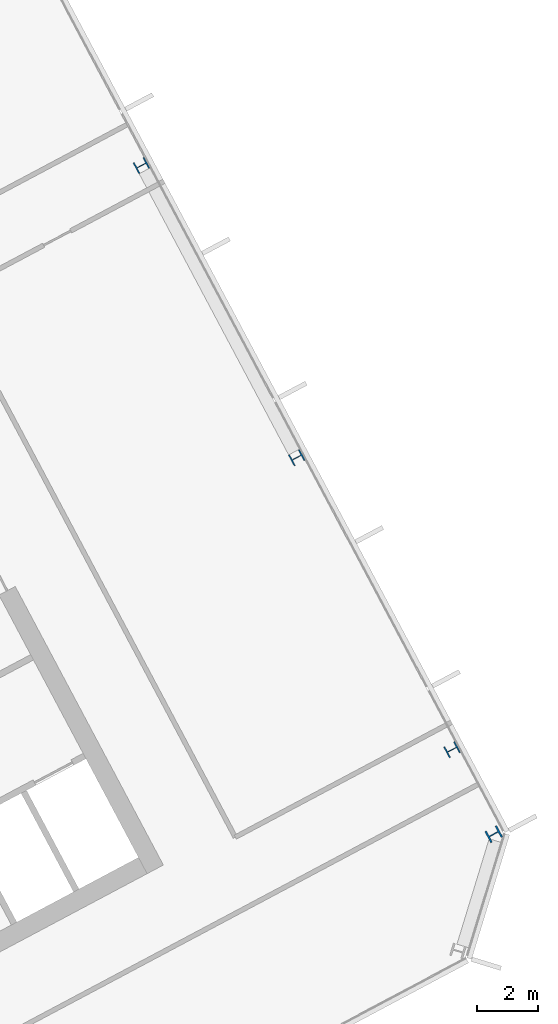
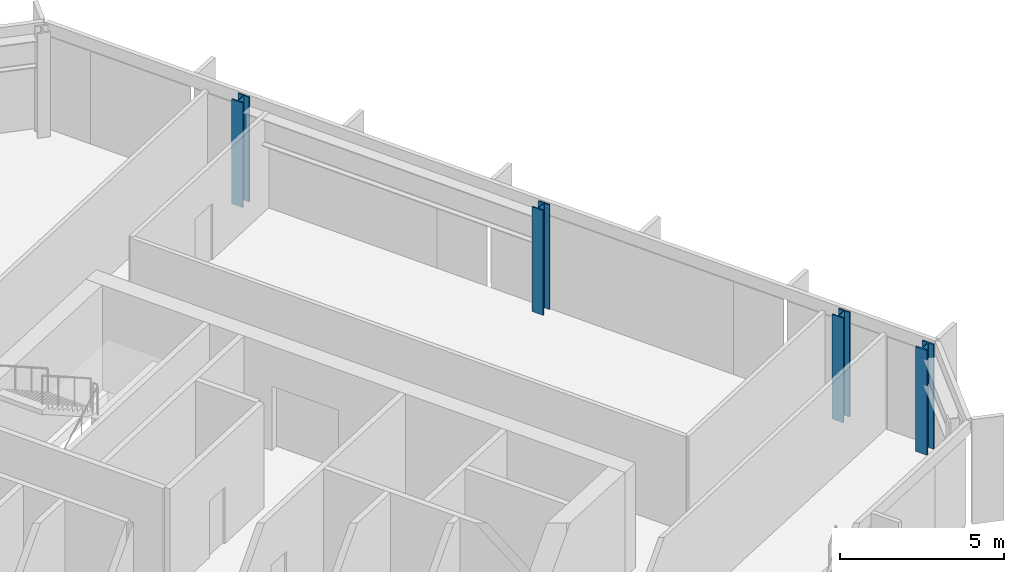
# One storey, part 7 of 27: 4 columns.
"""IFC4 building model written with IfcOpenShell, lengths in metres."""

import ifcopenshell
import ifcopenshell.guid

model = None  # the IFC model being written
_history = None  # IfcOwnerHistory: only IFC2X3 demands one
_inside = {}  # id of a spatial element -> (the spatial element, [elements in it])
_under = {}  # id of a project, library or spatial element -> (it, [spatial elements below it])
_declared = {}  # id of a project -> (the project, [libraries it declares])
_typed = {}  # id of a type object -> (the type object, [elements of that type])
_made_of = {}  # id of a material, layer set ... -> (it, [elements and type objects made of it])


def new_model(schema):
    """Start an empty IFC model of exactly this schema.

    Asked for "IFC4X3", IfcOpenShell would pick the latest addendum, in which some entities
    have other attributes; the version numbers below select the first issue.
    IFC2X3 requires an IfcOwnerHistory on every rooted entity: one is made here for all.
    """
    global model, _history
    if schema == "IFC4X3":
        model = ifcopenshell.file(schema_version=(4, 3, 0, 0))
    else:
        model = ifcopenshell.file(schema=schema)
    _inside.clear()
    _under.clear()
    _declared.clear()
    _typed.clear()
    _made_of.clear()
    _history = None
    if model.schema == "IFC2X3":
        org = make("IfcOrganization", Name="unknown")
        user = make(
            "IfcPersonAndOrganization",
            ThePerson=make("IfcPerson", FamilyName="unknown"),
            TheOrganization=org,
        )
        app = make(
            "IfcApplication",
            ApplicationDeveloper=org,
            Version="unknown",
            ApplicationFullName="unknown",
            ApplicationIdentifier="unknown",
        )
        _history = make(
            "IfcOwnerHistory",
            OwningUser=user,
            OwningApplication=app,
            ChangeAction="ADDED",
            CreationDate=0,
        )
    return model


def make(cls, **values):
    """One entity of the class cls with the attributes given. An attribute that is None is left unset."""
    return model.create_entity(
        cls, **{name: value for name, value in values.items() if value is not None}
    )


def rooted(cls, **values):
    """An entity with a GlobalId (a new one), such as an element, a storey or a relation."""
    return make(cls, GlobalId=ifcopenshell.guid.new(), OwnerHistory=_history, **values)


def si_unit(unit_type, name, prefix=None):
    """IfcSIUnit, for example si_unit("LENGTHUNIT", "METRE", prefix="MILLI")."""
    return make("IfcSIUnit", UnitType=unit_type, Prefix=prefix, Name=name)


def assignment(units):
    """IfcUnitAssignment: the units of a project."""
    return None if units is None else make("IfcUnitAssignment", Units=units)


def point(xyz):
    """IfcCartesianPoint."""
    return None if xyz is None else make("IfcCartesianPoint", Coordinates=xyz)


def direction(xyz):
    """IfcDirection."""
    return None if xyz is None else make("IfcDirection", DirectionRatios=xyz)


def frame(location, z_axis=None, x_axis=None):
    """IfcAxis2Placement3D, a coordinate frame: its origin and axes. An axis left out is left unset."""
    return make(
        "IfcAxis2Placement3D",
        Location=point(location),
        Axis=direction(z_axis),
        RefDirection=direction(x_axis),
    )


def frame_2d(location, x_axis=None):
    """IfcAxis2Placement2D, a coordinate frame in the plane: its origin and x axis."""
    return make(
        "IfcAxis2Placement2D", Location=point(location), RefDirection=direction(x_axis)
    )


def origin():
    """The frame at (0, 0, 0) with its axes left unset."""
    return frame((0.0, 0.0, 0.0))


def origin_2d():
    """The frame at (0, 0) in the plane with its x axis left unset."""
    return frame_2d((0.0, 0.0))


def place(relative_to, where):
    """IfcLocalPlacement: puts the frame where relative to a parent placement (None: the world)."""
    return make(
        "IfcLocalPlacement", PlacementRelTo=relative_to, RelativePlacement=where
    )


def context(
    kind, dimensions, precision=None, world=None, true_north=None, identifier=None
):
    """IfcGeometricRepresentationContext, for example the 3D "Model" context."""
    return make(
        "IfcGeometricRepresentationContext",
        ContextIdentifier=identifier,
        ContextType=kind,
        CoordinateSpaceDimension=dimensions,
        Precision=precision,
        WorldCoordinateSystem=world,
        TrueNorth=true_north,
    )


def subcontext(parent, identifier, kind, view, scale=None):
    """IfcGeometricRepresentationSubContext, for example "Body" below "Model"."""
    return make(
        "IfcGeometricRepresentationSubContext",
        ContextIdentifier=identifier,
        ContextType=kind,
        ParentContext=parent,
        TargetScale=scale,
        TargetView=view,
    )


def project(units=None, contexts=None):
    """IfcProject with its units and contexts."""
    return rooted(
        "IfcProject",
        Name="project",
        RepresentationContexts=contexts,
        UnitsInContext=assignment(units),
    )


def spatial(cls, under=None, at=None, **own):
    """A site, building, storey or space (cls), placed at a placement, below another one or the project."""
    s = rooted(cls, ObjectPlacement=at, **own)
    if under is not None:
        _under.setdefault(under.id(), (under, []))[1].append(s)
    return s


def profile(cls, at=None, kind="AREA", **sizes):
    """A parametric profile (cls). Its sizes go by their IFC names, for example OverallWidth=200.0."""
    return make(cls, ProfileType=kind, Position=at, **sizes)


def i_section(**sizes):
    """IfcIShapeProfileDef."""
    return profile("IfcIShapeProfileDef", **sizes)


def extrude(swept, where, along, depth):
    """IfcExtrudedAreaSolid: the profile swept, set in the frame where, extruded along a direction by depth."""
    return make(
        "IfcExtrudedAreaSolid",
        SweptArea=swept,
        Position=where,
        ExtrudedDirection=direction(along),
        Depth=depth,
    )


def shape(context_of_items, identifier, shape_type, items):
    """IfcShapeRepresentation: the items that make up one representation, for example the "Body"."""
    return make(
        "IfcShapeRepresentation",
        ContextOfItems=context_of_items,
        RepresentationIdentifier=identifier,
        RepresentationType=shape_type,
        Items=items,
    )


def material(Name=None, Category=None):
    """IfcMaterial."""
    return make("IfcMaterial", Name=Name, Category=Category)


def material_profile(
    of_material, cross_section, Name=None, Category=None, Priority=None
):
    """IfcMaterialProfile: a cross section and its material."""
    return make(
        "IfcMaterialProfile",
        Name=Name,
        Material=of_material,
        Profile=cross_section,
        Priority=Priority,
        Category=Category,
    )


def profile_set(profiles, Name=None, composite=None):
    """IfcMaterialProfileSet."""
    return make(
        "IfcMaterialProfileSet",
        Name=Name,
        MaterialProfiles=profiles,
        CompositeProfile=composite,
    )


def made_of(thing, what):
    """Note that an element or type object is made of a material, layer set ...; save() writes the relation."""
    if what is not None:
        _made_of.setdefault(what.id(), (what, []))[1].append(thing)
    return thing


def type_object(cls, material=None, **own):
    """A type object (cls), such as IfcWallType, which elements share."""
    return made_of(rooted(cls, **own), material)


def element(
    cls,
    number,
    at=None,
    inside=None,
    cuts=None,
    type_object=None,
    material=None,
    context=None,
    identifier="Body",
    shape_type=None,
    held_by="IfcProductDefinitionShape",
    body=None,
    shapes=None,
    **own,
):
    """One element of the class cls, such as IfcWall. Its Tag is "e" and its number.

    at: its placement. inside: the storey or other place that contains it. cuts: it is an
    opening in that element (IfcRelVoidsElement). A single representation is given by context,
    identifier, shape_type and body (its items); several are given by shapes. held_by: the class
    of the entity that holds the representations. save() writes the other relations.
    """
    e = rooted(cls, Tag="e%d" % number, ObjectPlacement=at, **own)
    if body is not None:
        shapes = [shape(context, identifier, shape_type, body)]
    if shapes is not None:
        e.Representation = make(held_by, Representations=shapes)
    if inside is not None:
        _inside.setdefault(inside.id(), (inside, []))[1].append(e)
    if cuts is not None:
        rooted(
            "IfcRelVoidsElement", RelatingBuildingElement=cuts, RelatedOpeningElement=e
        )
    if type_object is not None:
        _typed.setdefault(type_object.id(), (type_object, []))[1].append(e)
    return made_of(e, material)


def aggregate(whole, parts):
    """IfcRelAggregates: a whole, such as a stair, and the parts it consists of."""
    return rooted("IfcRelAggregates", RelatingObject=whole, RelatedObjects=parts)


def save(model, path):
    """Write the relations noted so far, then the file.

    IfcRelAggregates (storeys below a building ...), IfcRelContainedInSpatialStructure (elements
    in a storey), IfcRelDefinesByType, IfcRelAssociatesMaterial and IfcRelDeclares: one each for
    every whole, place, type object, material and project.
    """
    for whole, parts in _under.values():
        aggregate(whole, parts)
    for where, things in _inside.values():
        rooted(
            "IfcRelContainedInSpatialStructure",
            RelatedElements=things,
            RelatingStructure=where,
        )
    for kind, things in _typed.values():
        rooted("IfcRelDefinesByType", RelatedObjects=things, RelatingType=kind)
    for what, things in _made_of.values():
        rooted("IfcRelAssociatesMaterial", RelatedObjects=things, RelatingMaterial=what)
    for by, libraries in _declared.values():
        rooted("IfcRelDeclares", RelatingContext=by, RelatedDefinitions=libraries)
    model.write(path)


model = new_model("IFC4")

# Units and contexts
model_context = context("Model", 3, precision=1e-05, world=origin(), true_north=direction((0.0, 1.0)))
body_context = subcontext(model_context, "Body", "Model", "MODEL_VIEW")
ifc_project = project(units=[si_unit("LENGTHUNIT", "METRE"), si_unit("AREAUNIT", "SQUARE_METRE"), si_unit("VOLUMEUNIT", "CUBIC_METRE"), si_unit("PLANEANGLEUNIT", "RADIAN"), si_unit("MASSUNIT", "GRAM", prefix="KILO")], contexts=[model_context])

# Site, building, storey
site_placement = place(None, origin())
site = spatial("IfcSite", under=ifc_project, at=site_placement, CompositionType="ELEMENT")
building_placement = place(site_placement, origin())
building = spatial("IfcBuilding", under=site, at=building_placement, Name="Cormorant Relay Tower", CompositionType="ELEMENT")
storey_placement = place(building_placement, frame((0.0, 0.0, 224.699951171875)))
storey = spatial("IfcBuildingStorey", under=building, at=storey_placement, Name="L49", CompositionType="ELEMENT", Elevation=224.699951171875)

# Columns
ifc_material_1 = material(Name="Steel ASTM A992 (Fy 345 MPa)", Category="steel")
ifc_material_profile_1 = material_profile(ifc_material_1, i_section(OverallWidth=0.40380859375, OverallDepth=0.406494140625, WebThickness=0.027099609375, FlangeThickness=0.043701171875, FilletRadius=0.01513671875, at=origin_2d()), Name="W360x347")
ifc_profile_set_1 = profile_set([ifc_material_profile_1], Name="Steel ASTM A992 (Fy 345 MPa)")
column_type_1 = type_object("IfcColumnType", Name="Column W360x347", PredefinedType="COLUMN", material=ifc_profile_set_1)
for number, where, z_axis, x_axis, name in (
    (1, (47.26611328125, 12.89990234375, 0.0), (0.0, 0.0, 1.0), (-0.469471562786, 0.882947592859, 0.0), "Column L49-026"),
    (2, (42.196044921875, 22.43603515625, 0.0), (0.0, 0.0, 1.0), (-0.469471562786, 0.882947592859, 0.0), "Column L49-029"),
    (3, (37.1259765625, 31.971923828125, 0.0), (0.0, 0.0, 1.0), (-0.469471562786, 0.882947592859, 0.0), "Column L49-036"),
):
    element("IfcColumn", number, at=place(storey_placement, frame(where, z_axis=z_axis, x_axis=x_axis)), inside=storey, type_object=column_type_1, Name=name, PredefinedType="COLUMN", context=body_context, shape_type="SweptSolid", body=[
        extrude(i_section(OverallWidth=0.40380859375, OverallDepth=0.406494140625, WebThickness=0.027099609375, FlangeThickness=0.043701171875, FilletRadius=0.01513671875, at=origin_2d()), origin(), (0.0, 0.0, 1.0), 3.900146484375),
    ])
ifc_material_2 = material(Name="Steel ASTM A992 (Fy 345 MPa)", Category="steel")
ifc_material_profile_2 = material_profile(ifc_material_2, i_section(OverallWidth=0.41162109375, OverallDepth=0.434326171875, WebThickness=0.035888671875, FlangeThickness=0.057373046875, FilletRadius=0.01513671875, at=origin_2d()), Name="W360x463")
ifc_profile_set_2 = profile_set([ifc_material_profile_2], Name="Steel ASTM A992 (Fy 345 MPa)")
column_type_2 = type_object("IfcColumnType", Name="Column W360x463", PredefinedType="COLUMN", material=ifc_profile_set_2)
column_placement = place(storey_placement, frame((48.6259765625, 10.14208984375, 0.0), z_axis=(0.0, 0.0, 1.0), x_axis=(-0.469471562786, 0.882947592859, 0.0)))
element("IfcColumn", 4, at=column_placement, inside=storey, type_object=column_type_2, Name="Column L49-021", PredefinedType="COLUMN", context=body_context, shape_type="SweptSolid", body=[
    extrude(i_section(OverallWidth=0.41162109375, OverallDepth=0.434326171875, WebThickness=0.035888671875, FlangeThickness=0.057373046875, FilletRadius=0.01513671875, at=origin_2d()), origin(), (0.0, 0.0, 1.0), 3.900146484375),
])

save(model, "model.ifc")
